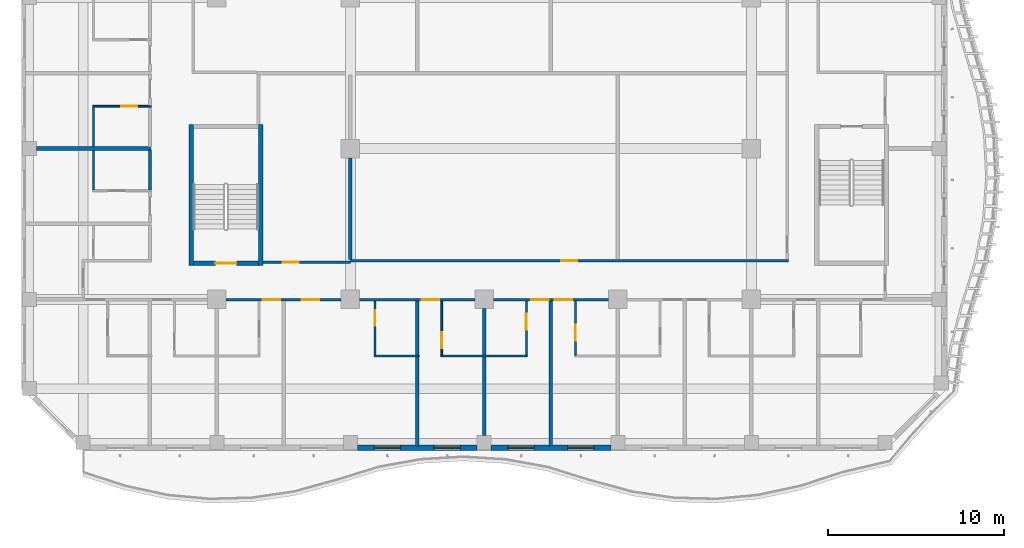
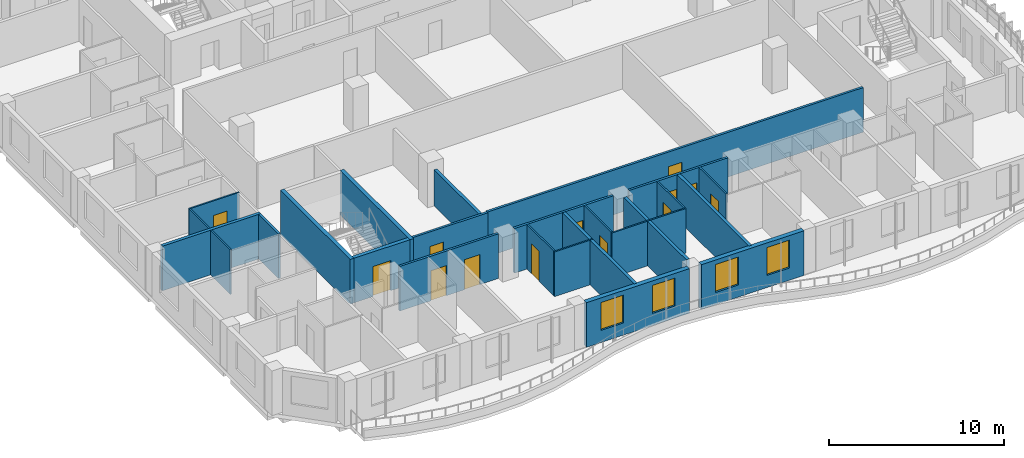
# One storey, part 3 of 22: 27 walls, 13 doors, 4 windows, 17 openings.
"""IFC4 building model written with IfcOpenShell, lengths in metres."""

import ifcopenshell
import ifcopenshell.guid

model = None  # the IFC model being written
_history = None  # IfcOwnerHistory: only IFC2X3 demands one
_inside = {}  # id of a spatial element -> (the spatial element, [elements in it])
_under = {}  # id of a project, library or spatial element -> (it, [spatial elements below it])
_declared = {}  # id of a project -> (the project, [libraries it declares])
_typed = {}  # id of a type object -> (the type object, [elements of that type])
_made_of = {}  # id of a material, layer set ... -> (it, [elements and type objects made of it])


def new_model(schema):
    """Start an empty IFC model of exactly this schema.

    Asked for "IFC4X3", IfcOpenShell would pick the latest addendum, in which some entities
    have other attributes; the version numbers below select the first issue.
    IFC2X3 requires an IfcOwnerHistory on every rooted entity: one is made here for all.
    """
    global model, _history
    if schema == "IFC4X3":
        model = ifcopenshell.file(schema_version=(4, 3, 0, 0))
    else:
        model = ifcopenshell.file(schema=schema)
    _inside.clear()
    _under.clear()
    _declared.clear()
    _typed.clear()
    _made_of.clear()
    _history = None
    if model.schema == "IFC2X3":
        org = make("IfcOrganization", Name="unknown")
        user = make(
            "IfcPersonAndOrganization",
            ThePerson=make("IfcPerson", FamilyName="unknown"),
            TheOrganization=org,
        )
        app = make(
            "IfcApplication",
            ApplicationDeveloper=org,
            Version="unknown",
            ApplicationFullName="unknown",
            ApplicationIdentifier="unknown",
        )
        _history = make(
            "IfcOwnerHistory",
            OwningUser=user,
            OwningApplication=app,
            ChangeAction="ADDED",
            CreationDate=0,
        )
    return model


def make(cls, **values):
    """One entity of the class cls with the attributes given. An attribute that is None is left unset."""
    return model.create_entity(
        cls, **{name: value for name, value in values.items() if value is not None}
    )


def rooted(cls, **values):
    """An entity with a GlobalId (a new one), such as an element, a storey or a relation."""
    return make(cls, GlobalId=ifcopenshell.guid.new(), OwnerHistory=_history, **values)


def si_unit(unit_type, name, prefix=None):
    """IfcSIUnit, for example si_unit("LENGTHUNIT", "METRE", prefix="MILLI")."""
    return make("IfcSIUnit", UnitType=unit_type, Prefix=prefix, Name=name)


def assignment(units):
    """IfcUnitAssignment: the units of a project."""
    return None if units is None else make("IfcUnitAssignment", Units=units)


def point(xyz):
    """IfcCartesianPoint."""
    return None if xyz is None else make("IfcCartesianPoint", Coordinates=xyz)


def direction(xyz):
    """IfcDirection."""
    return None if xyz is None else make("IfcDirection", DirectionRatios=xyz)


def frame(location, z_axis=None, x_axis=None):
    """IfcAxis2Placement3D, a coordinate frame: its origin and axes. An axis left out is left unset."""
    return make(
        "IfcAxis2Placement3D",
        Location=point(location),
        Axis=direction(z_axis),
        RefDirection=direction(x_axis),
    )


def frame_2d(location, x_axis=None):
    """IfcAxis2Placement2D, a coordinate frame in the plane: its origin and x axis."""
    return make(
        "IfcAxis2Placement2D", Location=point(location), RefDirection=direction(x_axis)
    )


def origin():
    """The frame at (0, 0, 0) with its axes left unset."""
    return frame((0.0, 0.0, 0.0))


def place(relative_to, where):
    """IfcLocalPlacement: puts the frame where relative to a parent placement (None: the world)."""
    return make(
        "IfcLocalPlacement", PlacementRelTo=relative_to, RelativePlacement=where
    )


def context(
    kind, dimensions, precision=None, world=None, true_north=None, identifier=None
):
    """IfcGeometricRepresentationContext, for example the 3D "Model" context."""
    return make(
        "IfcGeometricRepresentationContext",
        ContextIdentifier=identifier,
        ContextType=kind,
        CoordinateSpaceDimension=dimensions,
        Precision=precision,
        WorldCoordinateSystem=world,
        TrueNorth=true_north,
    )


def subcontext(parent, identifier, kind, view, scale=None):
    """IfcGeometricRepresentationSubContext, for example "Body" below "Model"."""
    return make(
        "IfcGeometricRepresentationSubContext",
        ContextIdentifier=identifier,
        ContextType=kind,
        ParentContext=parent,
        TargetScale=scale,
        TargetView=view,
    )


def project(units=None, contexts=None):
    """IfcProject with its units and contexts."""
    return rooted(
        "IfcProject",
        Name="project",
        RepresentationContexts=contexts,
        UnitsInContext=assignment(units),
    )


def spatial(cls, under=None, at=None, **own):
    """A site, building, storey or space (cls), placed at a placement, below another one or the project."""
    s = rooted(cls, ObjectPlacement=at, **own)
    if under is not None:
        _under.setdefault(under.id(), (under, []))[1].append(s)
    return s


def profile(cls, at=None, kind="AREA", **sizes):
    """A parametric profile (cls). Its sizes go by their IFC names, for example OverallWidth=200.0."""
    return make(cls, ProfileType=kind, Position=at, **sizes)


def rectangle(**sizes):
    """IfcRectangleProfileDef."""
    return profile("IfcRectangleProfileDef", **sizes)


def extrude(swept, where, along, depth):
    """IfcExtrudedAreaSolid: the profile swept, set in the frame where, extruded along a direction by depth."""
    return make(
        "IfcExtrudedAreaSolid",
        SweptArea=swept,
        Position=where,
        ExtrudedDirection=direction(along),
        Depth=depth,
    )


def shape(context_of_items, identifier, shape_type, items):
    """IfcShapeRepresentation: the items that make up one representation, for example the "Body"."""
    return make(
        "IfcShapeRepresentation",
        ContextOfItems=context_of_items,
        RepresentationIdentifier=identifier,
        RepresentationType=shape_type,
        Items=items,
    )


def source(mapping_origin, context_of_items, identifier, shape_type, items):
    """IfcRepresentationMap: a shape defined once, which mapped items show again and again."""
    return make(
        "IfcRepresentationMap",
        MappingOrigin=mapping_origin,
        MappedRepresentation=shape(context_of_items, identifier, shape_type, items),
    )


def transform(
    local_origin,
    x_axis=None,
    y_axis=None,
    z_axis=None,
    scale=None,
    scale2=None,
    scale3=None,
    uniform=True,
):
    """IfcCartesianTransformationOperator3D, or its non-uniform kind. x_axis, y_axis, z_axis: its Axis1, 2, 3."""
    if uniform:
        return make(
            "IfcCartesianTransformationOperator3D",
            Axis1=direction(x_axis),
            Axis2=direction(y_axis),
            LocalOrigin=point(local_origin),
            Scale=scale,
            Axis3=direction(z_axis),
        )
    return make(
        "IfcCartesianTransformationOperator3DnonUniform",
        Axis1=direction(x_axis),
        Axis2=direction(y_axis),
        LocalOrigin=point(local_origin),
        Scale=scale,
        Axis3=direction(z_axis),
        Scale2=scale2,
        Scale3=scale3,
    )


def mapped(mapping_source, mapping_target):
    """IfcMappedItem: shows the shape of a source again, moved by a transform."""
    return make(
        "IfcMappedItem", MappingSource=mapping_source, MappingTarget=mapping_target
    )


def material(Name=None, Category=None):
    """IfcMaterial."""
    return make("IfcMaterial", Name=Name, Category=Category)


def layer(
    of_material, thickness, ventilated=None, Name=None, Category=None, Priority=None
):
    """IfcMaterialLayer: one layer of a wall or slab, of a material (None: an air gap)."""
    return make(
        "IfcMaterialLayer",
        Material=of_material,
        LayerThickness=thickness,
        IsVentilated=ventilated,
        Name=Name,
        Category=Category,
        Priority=Priority,
    )


def layer_set(layers, Name=None):
    """IfcMaterialLayerSet."""
    return make("IfcMaterialLayerSet", MaterialLayers=layers, LayerSetName=Name)


def made_of(thing, what):
    """Note that an element or type object is made of a material, layer set ...; save() writes the relation."""
    if what is not None:
        _made_of.setdefault(what.id(), (what, []))[1].append(thing)
    return thing


def type_object(cls, material=None, **own):
    """A type object (cls), such as IfcWallType, which elements share."""
    return made_of(rooted(cls, **own), material)


def element(
    cls,
    number,
    at=None,
    inside=None,
    cuts=None,
    type_object=None,
    material=None,
    context=None,
    identifier="Body",
    shape_type=None,
    held_by="IfcProductDefinitionShape",
    body=None,
    shapes=None,
    **own,
):
    """One element of the class cls, such as IfcWall. Its Tag is "e" and its number.

    at: its placement. inside: the storey or other place that contains it. cuts: it is an
    opening in that element (IfcRelVoidsElement). A single representation is given by context,
    identifier, shape_type and body (its items); several are given by shapes. held_by: the class
    of the entity that holds the representations. save() writes the other relations.
    """
    e = rooted(cls, Tag="e%d" % number, ObjectPlacement=at, **own)
    if body is not None:
        shapes = [shape(context, identifier, shape_type, body)]
    if shapes is not None:
        e.Representation = make(held_by, Representations=shapes)
    if inside is not None:
        _inside.setdefault(inside.id(), (inside, []))[1].append(e)
    if cuts is not None:
        rooted(
            "IfcRelVoidsElement", RelatingBuildingElement=cuts, RelatedOpeningElement=e
        )
    if type_object is not None:
        _typed.setdefault(type_object.id(), (type_object, []))[1].append(e)
    return made_of(e, material)


def fill(opening, filler):
    """IfcRelFillsElement: the door or window that sits in an opening."""
    return rooted(
        "IfcRelFillsElement",
        RelatingOpeningElement=opening,
        RelatedBuildingElement=filler,
    )


def aggregate(whole, parts):
    """IfcRelAggregates: a whole, such as a stair, and the parts it consists of."""
    return rooted("IfcRelAggregates", RelatingObject=whole, RelatedObjects=parts)


def save(model, path):
    """Write the relations noted so far, then the file.

    IfcRelAggregates (storeys below a building ...), IfcRelContainedInSpatialStructure (elements
    in a storey), IfcRelDefinesByType, IfcRelAssociatesMaterial and IfcRelDeclares: one each for
    every whole, place, type object, material and project.
    """
    for whole, parts in _under.values():
        aggregate(whole, parts)
    for where, things in _inside.values():
        rooted(
            "IfcRelContainedInSpatialStructure",
            RelatedElements=things,
            RelatingStructure=where,
        )
    for kind, things in _typed.values():
        rooted("IfcRelDefinesByType", RelatedObjects=things, RelatingType=kind)
    for what, things in _made_of.values():
        rooted("IfcRelAssociatesMaterial", RelatedObjects=things, RelatingMaterial=what)
    for by, libraries in _declared.values():
        rooted("IfcRelDeclares", RelatingContext=by, RelatedDefinitions=libraries)
    model.write(path)


model = new_model("IFC4")

# Units and contexts
model_context = context("Model", 3, precision=1e-05, world=origin(), true_north=direction((0.0, 1.0)))
body_context = subcontext(model_context, "Body", "Model", "MODEL_VIEW")
ifc_project = project(units=[si_unit("LENGTHUNIT", "METRE"), si_unit("AREAUNIT", "SQUARE_METRE"), si_unit("VOLUMEUNIT", "CUBIC_METRE"), si_unit("PLANEANGLEUNIT", "RADIAN"), si_unit("MASSUNIT", "GRAM", prefix="KILO")], contexts=[model_context])

# Site, building, storey
site_placement = place(None, origin())
site = spatial("IfcSite", under=ifc_project, at=site_placement, CompositionType="ELEMENT")
building_placement = place(site_placement, origin())
building = spatial("IfcBuilding", under=site, at=building_placement, Name="Kilnfold Tower and Market Hall", CompositionType="ELEMENT")
storey_placement = place(building_placement, frame((0.0, 0.0, 188.89990234375)))
storey = spatial("IfcBuildingStorey", under=building, at=storey_placement, Name="L45", CompositionType="ELEMENT", Elevation=188.89990234375)

# Wall, openings, doors
ifc_material_1 = material(Name="Gypsum board on steel studs", Category="steel")
ifc_layer_1 = layer(ifc_material_1, 0.14990234375)
ifc_layer_set_1 = layer_set([ifc_layer_1], Name="Gypsum board on steel studs")
wall_type_1 = type_object("IfcWallType", Name="WALL CORRIDOR 150", PredefinedType="PARTITIONING", material=ifc_layer_set_1)
wall_1_placement = place(storey_placement, frame((-15.64208984375, -17.699951171875, 0.0), z_axis=(0.0, 0.0, 1.0), x_axis=(1.0, 0.0, 0.0)))
wall_1 = element("IfcWall", 1, at=wall_1_placement, inside=storey, type_object=wall_type_1, Name="Partition LY28.2", PredefinedType="PARTITIONING", context=body_context, shape_type="SweptSolid", body=[
    extrude(rectangle(XDim=6.5341796875, YDim=0.14990234375, at=frame_2d((3.26708984375, 0.0))), origin(), (0.0, 0.0, 1.0), 3.1201171875),
])
opening_1_placement = place(wall_1_placement, frame((2.076904296875, 0.0, 0.0)))
opening_1 = element("IfcOpeningElement", 2, at=opening_1_placement, cuts=wall_1, Name="Opening D1", PredefinedType="OPENING", context=body_context, shape_type="SweptSolid", body=[
    extrude(rectangle(XDim=1.0, YDim=2.10009765625, at=frame_2d((0.5, 1.050048828125))), frame((0.0, 0.0849609375, 0.0), z_axis=(0.0, -1.0, 0.0), x_axis=(1.0, 0.0, 0.0)), (0.0, 0.0, 1.0), 0.169921875),
])
opening_2_placement = place(wall_1_placement, frame((4.291015625, 0.0, 0.0)))
opening_2 = element("IfcOpeningElement", 3, at=opening_2_placement, cuts=wall_1, Name="Opening D1", PredefinedType="OPENING", context=body_context, shape_type="SweptSolid", body=[
    extrude(rectangle(XDim=1.0, YDim=2.10009765625, at=frame_2d((0.5, 1.050048828125))), frame((0.0, 0.0849609375, 0.0), z_axis=(0.0, -1.0, 0.0), x_axis=(1.0, 0.0, 0.0)), (0.0, 0.0, 1.0), 0.169921875),
])
ifc_material_2 = material(Name="Timber veneer door leaf in steel frame", Category="steel")
door_type_1 = type_object("IfcDoorType", Name="DOOR ENTRY 1000 X2100", OperationType="NOTDEFINED", PredefinedType="DOOR", material=ifc_material_2)
door_1_placement = place(opening_1_placement, origin())
door_1 = element("IfcDoor", 4, at=door_1_placement, inside=storey, type_object=door_type_1, Name="Door D1", OperationType="SINGLE_SWING_RIGHT", OverallHeight=2.10009765625, OverallWidth=1.0, PredefinedType="DOOR", context=body_context, shape_type="SweptSolid", body=[
    extrude(rectangle(XDim=1.0, YDim=2.10009765625, at=frame_2d((0.5, 1.050048828125))), frame((0.0, 0.02490234375, 0.0), z_axis=(0.0, -1.0, 0.0), x_axis=(1.0, 0.0, 0.0)), (0.0, 0.0, 1.0), 0.050048828125),
])
fill(opening_1, door_1)
door_2_placement = place(opening_2_placement, origin())
door_2 = element("IfcDoor", 5, at=door_2_placement, inside=storey, type_object=door_type_1, Name="Door D1", OperationType="SINGLE_SWING_LEFT", OverallHeight=2.10009765625, OverallWidth=1.0, PredefinedType="DOOR", context=body_context, shape_type="SweptSolid", body=[
    extrude(rectangle(XDim=1.0, YDim=2.10009765625, at=frame_2d((0.5, 1.050048828125))), frame((0.0, 0.02490234375, 0.0), z_axis=(0.0, -1.0, 0.0), x_axis=(1.0, 0.0, 0.0)), (0.0, 0.0, 1.0), 0.050048828125),
])
fill(opening_2, door_2)

# Wall, opening, door
wall_2_placement = place(storey_placement, frame((-8.05810546875, -17.699951171875, 0.0), z_axis=(0.0, 0.0, 1.0), x_axis=(1.0, 0.0, 0.0)))
wall_2 = element("IfcWall", 6, at=wall_2_placement, inside=storey, type_object=wall_type_1, Name="Partition LY28.3", PredefinedType="PARTITIONING", context=body_context, shape_type="SweptSolid", body=[
    extrude(rectangle(XDim=6.533203125, YDim=0.14990234375, at=frame_2d((3.2666015625, 0.0))), origin(), (0.0, 0.0, 1.0), 3.1201171875),
])
opening_3_placement = place(wall_2_placement, frame((3.51806640625, 0.0, 0.0)))
opening_3 = element("IfcOpeningElement", 7, at=opening_3_placement, cuts=wall_2, Name="Opening D1", PredefinedType="OPENING", context=body_context, shape_type="SweptSolid", body=[
    extrude(rectangle(XDim=1.0, YDim=2.10009765625, at=frame_2d((0.5, 1.050048828125))), frame((0.0, 0.0849609375, 0.0), z_axis=(0.0, -1.0, 0.0), x_axis=(1.0, 0.0, 0.0)), (0.0, 0.0, 1.0), 0.169921875),
])
door_3_placement = place(opening_3_placement, origin())
door_3 = element("IfcDoor", 8, at=door_3_placement, inside=storey, type_object=door_type_1, Name="Door D1", OperationType="SINGLE_SWING_RIGHT", OverallHeight=2.10009765625, OverallWidth=1.0, PredefinedType="DOOR", context=body_context, shape_type="SweptSolid", body=[
    extrude(rectangle(XDim=1.0, YDim=2.10009765625, at=frame_2d((0.5, 1.050048828125))), frame((0.0, 0.02490234375, 0.0), z_axis=(0.0, -1.0, 0.0), x_axis=(1.0, 0.0, 0.0)), (0.0, 0.0, 1.0), 0.050048828125),
])
fill(opening_3, door_3)

# Wall, openings, doors
wall_3_placement = place(storey_placement, frame((-0.47509765625, -17.699951171875, 0.0), z_axis=(0.0, 0.0, 1.0), x_axis=(1.0, 0.0, 0.0)))
wall_3 = element("IfcWall", 9, at=wall_3_placement, inside=storey, type_object=wall_type_1, Name="Partition LY28.4", PredefinedType="PARTITIONING", context=body_context, shape_type="SweptSolid", body=[
    extrude(rectangle(XDim=6.533203125, YDim=0.14990234375, at=frame_2d((3.2666015625, 0.0))), origin(), (0.0, 0.0, 1.0), 3.1201171875),
])
opening_4_placement = place(wall_3_placement, frame((2.14697265625, 0.0, 0.0)))
opening_4 = element("IfcOpeningElement", 10, at=opening_4_placement, cuts=wall_3, Name="Opening D1", PredefinedType="OPENING", context=body_context, shape_type="SweptSolid", body=[
    extrude(rectangle(XDim=1.0, YDim=2.10009765625, at=frame_2d((0.5, 1.050048828125))), frame((0.0, 0.0849609375, 0.0), z_axis=(0.0, -1.0, 0.0), x_axis=(1.0, 0.0, 0.0)), (0.0, 0.0, 1.0), 0.169921875),
])
opening_5_placement = place(wall_3_placement, frame((3.468017578125, 0.0, 0.0)))
opening_5 = element("IfcOpeningElement", 11, at=opening_5_placement, cuts=wall_3, Name="Opening D1", PredefinedType="OPENING", context=body_context, shape_type="SweptSolid", body=[
    extrude(rectangle(XDim=1.0, YDim=2.10009765625, at=frame_2d((0.5, 1.050048828125))), frame((0.0, 0.0849609375, 0.0), z_axis=(0.0, -1.0, 0.0), x_axis=(1.0, 0.0, 0.0)), (0.0, 0.0, 1.0), 0.169921875),
])
door_4_placement = place(opening_4_placement, origin())
door_4 = element("IfcDoor", 12, at=door_4_placement, inside=storey, type_object=door_type_1, Name="Door D1", OperationType="SINGLE_SWING_RIGHT", OverallHeight=2.10009765625, OverallWidth=1.0, PredefinedType="DOOR", context=body_context, shape_type="SweptSolid", body=[
    extrude(rectangle(XDim=1.0, YDim=2.10009765625, at=frame_2d((0.5, 1.050048828125))), frame((0.0, 0.02490234375, 0.0), z_axis=(0.0, -1.0, 0.0), x_axis=(1.0, 0.0, 0.0)), (0.0, 0.0, 1.0), 0.050048828125),
])
fill(opening_4, door_4)
door_5_placement = place(opening_5_placement, origin())
door_5 = element("IfcDoor", 13, at=door_5_placement, inside=storey, type_object=door_type_1, Name="Door D1", OperationType="SINGLE_SWING_RIGHT", OverallHeight=2.10009765625, OverallWidth=1.0, PredefinedType="DOOR", context=body_context, shape_type="SweptSolid", body=[
    extrude(rectangle(XDim=1.0, YDim=2.10009765625, at=frame_2d((0.5, 1.050048828125))), frame((0.0, 0.02490234375, 0.0), z_axis=(0.0, -1.0, 0.0), x_axis=(1.0, 0.0, 0.0)), (0.0, 0.0, 1.0), 0.050048828125),
])
fill(opening_5, door_5)

# Wall
wall_4_placement = place(storey_placement, frame((-19.958984375, -11.485107421875, 0.0), z_axis=(0.0, 0.0, 1.0), x_axis=(0.0, 1.0, 0.0)))
element("IfcWall", 14, at=wall_4_placement, inside=storey, type_object=wall_type_1, Name="Partition LY28.11", PredefinedType="PARTITIONING", context=body_context, shape_type="SweptSolid", body=[
    extrude(rectangle(XDim=2.27001953125, YDim=0.14990234375, at=frame_2d((1.135009765625, 0.0))), origin(), (0.0, 0.0, 1.0), 3.1201171875),
])

# Wall, opening, door
wall_5_placement = place(storey_placement, frame((-8.572998046875, -15.574951171875, 0.0), z_axis=(0.0, 0.0, 1.0), x_axis=(-1.0, 0.0, 0.0)))
wall_5 = element("IfcWall", 15, at=wall_5_placement, inside=storey, type_object=wall_type_1, Name="Partition LY28.47", PredefinedType="PARTITIONING", context=body_context, shape_type="SweptSolid", body=[
    extrude(rectangle(XDim=4.97705078125, YDim=0.14990234375, at=frame_2d((2.488525390625, 0.0))), origin(), (0.0, 0.0, 1.0), 3.1201171875),
])
opening_6_placement = place(wall_5_placement, frame((2.9580078125, 0.0, 0.0)))
opening_6 = element("IfcOpeningElement", 16, at=opening_6_placement, cuts=wall_5, Name="Opening D2", PredefinedType="OPENING", context=body_context, shape_type="SweptSolid", body=[
    extrude(rectangle(XDim=0.89990234375, YDim=2.10009765625, at=frame_2d((0.449951171875, 1.050048828125))), frame((0.0, 0.0849609375, 0.0), z_axis=(0.0, -1.0, 0.0), x_axis=(1.0, 0.0, 0.0)), (0.0, 0.0, 1.0), 0.169921875),
])
ifc_material_3 = material(Name="Timber veneer door leaf in steel frame", Category="steel")
door_type_2 = type_object("IfcDoorType", Name="DOOR ROOM 900 X2100", OperationType="NOTDEFINED", PredefinedType="DOOR", material=ifc_material_3)
door_6_placement = place(opening_6_placement, origin())
door_6 = element("IfcDoor", 17, at=door_6_placement, inside=storey, type_object=door_type_2, Name="Door D2", OperationType="SINGLE_SWING_RIGHT", OverallHeight=2.10009765625, OverallWidth=0.89990234375, PredefinedType="DOOR", context=body_context, shape_type="SweptSolid", body=[
    extrude(rectangle(XDim=0.89990234375, YDim=2.10009765625, at=frame_2d((0.449951171875, 1.050048828125))), frame((0.0, 0.02490234375, 0.0), z_axis=(0.0, -1.0, 0.0), x_axis=(1.0, 0.0, 0.0)), (0.0, 0.0, 1.0), 0.050048828125),
])
fill(opening_6, door_6)

wall_6_placement = place(storey_placement, frame((-8.593017578125, -15.5, 0.0), z_axis=(0.0, 0.0, 1.0), x_axis=(1.0, 0.0, 0.0)))
wall_6 = element("IfcWall", 18, at=wall_6_placement, inside=storey, type_object=wall_type_1, Name="Partition LY28.48", PredefinedType="PARTITIONING", context=body_context, shape_type="SweptSolid", body=[
    extrude(rectangle(XDim=24.867919921875, YDim=0.14990234375, at=frame_2d((12.43408203125, 0.0))), origin(), (0.0, 0.0, 1.0), 3.1201171875),
])
opening_7_placement = place(wall_6_placement, frame((11.972900390625, 0.0, 0.0)))
opening_7 = element("IfcOpeningElement", 19, at=opening_7_placement, cuts=wall_6, Name="Opening D2", PredefinedType="OPENING", context=body_context, shape_type="SweptSolid", body=[
    extrude(rectangle(XDim=0.89990234375, YDim=2.10009765625, at=frame_2d((0.449951171875, 1.050048828125))), frame((0.0, 0.0849609375, 0.0), z_axis=(0.0, -1.0, 0.0), x_axis=(1.0, 0.0, 0.0)), (0.0, 0.0, 1.0), 0.169921875),
])
door_7_placement = place(opening_7_placement, origin())
door_7 = element("IfcDoor", 20, at=door_7_placement, inside=storey, type_object=door_type_2, Name="Door D2", OperationType="SINGLE_SWING_RIGHT", OverallHeight=2.10009765625, OverallWidth=0.89990234375, PredefinedType="DOOR", context=body_context, shape_type="SweptSolid", body=[
    extrude(rectangle(XDim=0.89990234375, YDim=2.10009765625, at=frame_2d((0.449951171875, 1.050048828125))), frame((0.0, 0.02490234375, 0.0), z_axis=(0.0, -1.0, 0.0), x_axis=(1.0, 0.0, 0.0)), (0.0, 0.0, 1.0), 0.050048828125),
])
fill(opening_7, door_7)

ifc_material_4 = material(Name="Gypsum board on steel studs", Category="steel")
ifc_layer_2 = layer(ifc_material_4, 0.10009765625)
ifc_layer_set_2 = layer_set([ifc_layer_2], Name="Gypsum board on steel studs")
wall_type_2 = type_object("IfcWallType", Name="WALL PARTITION 100", PredefinedType="PARTITIONING", material=ifc_layer_set_2)
wall_7_placement = place(storey_placement, frame((-7.19189453125, -20.85205078125, 0.0), z_axis=(0.0, 0.0, 1.0), x_axis=(0.0, 1.0, 0.0)))
wall_7 = element("IfcWall", 21, at=wall_7_placement, inside=storey, type_object=wall_type_2, Name="Partition LY28.61", PredefinedType="PARTITIONING", context=body_context, shape_type="SweptSolid", body=[
    extrude(rectangle(XDim=3.074951171875, YDim=0.10009765625, at=frame_2d((1.53759765625, 0.0))), origin(), (0.0, 0.0, 1.0), 3.1201171875),
])
opening_8_placement = place(wall_7_placement, frame((1.662109375, 0.0, 0.0)))
opening_8 = element("IfcOpeningElement", 22, at=opening_8_placement, cuts=wall_7, Name="Opening D3", PredefinedType="OPENING", context=body_context, shape_type="SweptSolid", body=[
    extrude(rectangle(XDim=0.89990234375, YDim=2.10009765625, at=frame_2d((0.449951171875, 1.050048828125))), frame((0.0, 0.06005859375, 0.0), z_axis=(0.0, -1.0, 0.0), x_axis=(1.0, 0.0, 0.0)), (0.0, 0.0, 1.0), 0.1201171875),
])
ifc_material_5 = material(Name="Timber veneer door leaf in steel frame", Category="steel")
door_type_3 = type_object("IfcDoorType", Name="DOOR WC 900 X2100", OperationType="NOTDEFINED", PredefinedType="DOOR", material=ifc_material_5)
door_8_placement = place(opening_8_placement, origin())
door_8 = element("IfcDoor", 23, at=door_8_placement, inside=storey, type_object=door_type_3, Name="Door D3", OperationType="SINGLE_SWING_LEFT", OverallHeight=2.10009765625, OverallWidth=0.89990234375, PredefinedType="DOOR", context=body_context, shape_type="SweptSolid", body=[
    extrude(rectangle(XDim=0.89990234375, YDim=2.10009765625, at=frame_2d((0.449951171875, 1.050048828125))), frame((0.0, 0.02490234375, 0.0), z_axis=(0.0, -1.0, 0.0), x_axis=(1.0, 0.0, 0.0)), (0.0, 0.0, 1.0), 0.050048828125),
])
fill(opening_8, door_8)

# Wall
wall_8_placement = place(storey_placement, frame((-7.241943359375, -20.902099609375, 0.0), z_axis=(0.0, 0.0, 1.0), x_axis=(1.0, 0.0, 0.0)))
element("IfcWall", 24, at=wall_8_placement, inside=storey, type_object=wall_type_2, Name="Partition LY28.62", PredefinedType="PARTITIONING", context=body_context, shape_type="SweptSolid", body=[
    extrude(rectangle(XDim=2.550048828125, YDim=0.10009765625, at=frame_2d((1.27490234375, 0.0))), origin(), (0.0, 0.0, 1.0), 3.1201171875),
])

# Wall, opening, door
wall_9_placement = place(storey_placement, frame((-3.39990234375, -20.85205078125, 0.0), z_axis=(0.0, 0.0, 1.0), x_axis=(0.0, 1.0, 0.0)))
wall_9 = element("IfcWall", 25, at=wall_9_placement, inside=storey, type_object=wall_type_2, Name="Partition LY28.65", PredefinedType="PARTITIONING", context=body_context, shape_type="SweptSolid", body=[
    extrude(rectangle(XDim=3.074951171875, YDim=0.10009765625, at=frame_2d((1.53759765625, 0.0))), origin(), (0.0, 0.0, 1.0), 3.1201171875),
])
opening_9_placement = place(wall_9_placement, frame((0.408935546875, 0.0, 0.0)))
opening_9 = element("IfcOpeningElement", 26, at=opening_9_placement, cuts=wall_9, Name="Opening D3", PredefinedType="OPENING", context=body_context, shape_type="SweptSolid", body=[
    extrude(rectangle(XDim=0.89990234375, YDim=2.10009765625, at=frame_2d((0.449951171875, 1.050048828125))), frame((0.0, 0.06005859375, 0.0), z_axis=(0.0, -1.0, 0.0), x_axis=(1.0, 0.0, 0.0)), (0.0, 0.0, 1.0), 0.1201171875),
])
door_9_placement = place(opening_9_placement, origin())
door_9 = element("IfcDoor", 27, at=door_9_placement, inside=storey, type_object=door_type_3, Name="Door D3", OperationType="SINGLE_SWING_LEFT", OverallHeight=2.10009765625, OverallWidth=0.89990234375, PredefinedType="DOOR", context=body_context, shape_type="SweptSolid", body=[
    extrude(rectangle(XDim=0.89990234375, YDim=2.10009765625, at=frame_2d((0.449951171875, 1.050048828125))), frame((0.0, 0.02490234375, 0.0), z_axis=(0.0, -1.0, 0.0), x_axis=(1.0, 0.0, 0.0)), (0.0, 0.0, 1.0), 0.050048828125),
])
fill(opening_9, door_9)

# Wall
wall_10_placement = place(storey_placement, frame((-3.449951171875, -20.902099609375, 0.0), z_axis=(0.0, 0.0, 1.0), x_axis=(1.0, 0.0, 0.0)))
element("IfcWall", 28, at=wall_10_placement, inside=storey, type_object=wall_type_2, Name="Partition LY28.66", PredefinedType="PARTITIONING", context=body_context, shape_type="SweptSolid", body=[
    extrude(rectangle(XDim=4.89990234375, YDim=0.10009765625, at=frame_2d((2.449951171875, 0.0))), origin(), (0.0, 0.0, 1.0), 3.1201171875),
])

# Wall, opening, door
wall_11_placement = place(storey_placement, frame((1.39990234375, -17.777099609375, 0.0), z_axis=(0.0, 0.0, 1.0), x_axis=(0.0, -1.0, 0.0)))
wall_11 = element("IfcWall", 29, at=wall_11_placement, inside=storey, type_object=wall_type_2, Name="Partition LY28.69", PredefinedType="PARTITIONING", context=body_context, shape_type="SweptSolid", body=[
    extrude(rectangle(XDim=3.074951171875, YDim=0.10009765625, at=frame_2d((1.53759765625, 0.0))), origin(), (0.0, 0.0, 1.0), 3.1201171875),
])
opening_10_placement = place(wall_11_placement, frame((0.721923828125, 0.0, 0.0)))
opening_10 = element("IfcOpeningElement", 30, at=opening_10_placement, cuts=wall_11, Name="Opening D3", PredefinedType="OPENING", context=body_context, shape_type="SweptSolid", body=[
    extrude(rectangle(XDim=0.89990234375, YDim=2.10009765625, at=frame_2d((0.449951171875, 1.050048828125))), frame((0.0, 0.06005859375, 0.0), z_axis=(0.0, -1.0, 0.0), x_axis=(1.0, 0.0, 0.0)), (0.0, 0.0, 1.0), 0.1201171875),
])
door_10_placement = place(opening_10_placement, origin())
door_10 = element("IfcDoor", 31, at=door_10_placement, inside=storey, type_object=door_type_3, Name="Door D3", OperationType="SINGLE_SWING_RIGHT", OverallHeight=2.10009765625, OverallWidth=0.89990234375, PredefinedType="DOOR", context=body_context, shape_type="SweptSolid", body=[
    extrude(rectangle(XDim=0.89990234375, YDim=2.10009765625, at=frame_2d((0.449951171875, 1.050048828125))), frame((0.0, 0.02490234375, 0.0), z_axis=(0.0, -1.0, 0.0), x_axis=(1.0, 0.0, 0.0)), (0.0, 0.0, 1.0), 0.050048828125),
])
fill(opening_10, door_10)

wall_12_placement = place(storey_placement, frame((4.18310546875, -20.85205078125, 0.0), z_axis=(0.0, 0.0, 1.0), x_axis=(0.0, 1.0, 0.0)))
wall_12 = element("IfcWall", 32, at=wall_12_placement, inside=storey, type_object=wall_type_2, Name="Partition LY28.71", PredefinedType="PARTITIONING", context=body_context, shape_type="SweptSolid", body=[
    extrude(rectangle(XDim=3.074951171875, YDim=0.10009765625, at=frame_2d((1.53759765625, 0.0))), origin(), (0.0, 0.0, 1.0), 3.1201171875),
])
opening_11_placement = place(wall_12_placement, frame((0.825927734375, 0.0, 0.0)))
opening_11 = element("IfcOpeningElement", 33, at=opening_11_placement, cuts=wall_12, Name="Opening D3", PredefinedType="OPENING", context=body_context, shape_type="SweptSolid", body=[
    extrude(rectangle(XDim=0.89990234375, YDim=2.10009765625, at=frame_2d((0.449951171875, 1.050048828125))), frame((0.0, 0.06005859375, 0.0), z_axis=(0.0, -1.0, 0.0), x_axis=(1.0, 0.0, 0.0)), (0.0, 0.0, 1.0), 0.1201171875),
])
door_11_placement = place(opening_11_placement, origin())
door_11 = element("IfcDoor", 34, at=door_11_placement, inside=storey, type_object=door_type_3, Name="Door D3", OperationType="SINGLE_SWING_LEFT", OverallHeight=2.10009765625, OverallWidth=0.89990234375, PredefinedType="DOOR", context=body_context, shape_type="SweptSolid", body=[
    extrude(rectangle(XDim=0.89990234375, YDim=2.10009765625, at=frame_2d((0.449951171875, 1.050048828125))), frame((0.0, 0.02490234375, 0.0), z_axis=(0.0, -1.0, 0.0), x_axis=(1.0, 0.0, 0.0)), (0.0, 0.0, 1.0), 0.050048828125),
])
fill(opening_11, door_11)

# Wall
wall_13_placement = place(storey_placement, frame((-23.160888671875, -11.47509765625, 0.0), z_axis=(0.0, 0.0, 1.0), x_axis=(0.0, 1.0, 0.0)))
element("IfcWall", 35, at=wall_13_placement, inside=storey, type_object=wall_type_2, Name="Partition LY28.90", PredefinedType="PARTITIONING", context=body_context, shape_type="SweptSolid", body=[
    extrude(rectangle(XDim=2.25, YDim=0.10009765625, at=frame_2d((1.125, 0.0))), origin(), (0.0, 0.0, 1.0), 3.1201171875),
])

# Wall, opening, door
wall_14_placement = place(storey_placement, frame((-23.2109375, -6.72509765625, 0.0), z_axis=(0.0, 0.0, 1.0), x_axis=(1.0, 0.0, 0.0)))
wall_14 = element("IfcWall", 36, at=wall_14_placement, inside=storey, type_object=wall_type_2, Name="Partition LY28.92", PredefinedType="PARTITIONING", context=body_context, shape_type="SweptSolid", body=[
    extrude(rectangle(XDim=3.324951171875, YDim=0.10009765625, at=frame_2d((1.66259765625, 0.0))), origin(), (0.0, 0.0, 1.0), 3.1201171875),
])
opening_12_placement = place(wall_14_placement, frame((1.616943359375, 0.0, 0.0)))
opening_12 = element("IfcOpeningElement", 37, at=opening_12_placement, cuts=wall_14, Name="Opening D3", PredefinedType="OPENING", context=body_context, shape_type="SweptSolid", body=[
    extrude(rectangle(XDim=0.89990234375, YDim=2.10009765625, at=frame_2d((0.449951171875, 1.050048828125))), frame((0.0, 0.06005859375, 0.0), z_axis=(0.0, -1.0, 0.0), x_axis=(1.0, 0.0, 0.0)), (0.0, 0.0, 1.0), 0.1201171875),
])
door_12_placement = place(opening_12_placement, origin())
door_12 = element("IfcDoor", 38, at=door_12_placement, inside=storey, type_object=door_type_3, Name="Door D3", OperationType="SINGLE_SWING_LEFT", OverallHeight=2.10009765625, OverallWidth=0.89990234375, PredefinedType="DOOR", context=body_context, shape_type="SweptSolid", body=[
    extrude(rectangle(XDim=0.89990234375, YDim=2.10009765625, at=frame_2d((0.449951171875, 1.050048828125))), frame((0.0, 0.02490234375, 0.0), z_axis=(0.0, -1.0, 0.0), x_axis=(1.0, 0.0, 0.0)), (0.0, 0.0, 1.0), 0.050048828125),
])
fill(opening_12, door_12)

# Walls
wall_15_placement = place(storey_placement, frame((-23.160888671875, -9.02490234375, 0.0), z_axis=(0.0, 0.0, 1.0), x_axis=(0.0, 1.0, 0.0)))
element("IfcWall", 39, at=wall_15_placement, inside=storey, type_object=wall_type_2, Name="Partition LY28.93", PredefinedType="PARTITIONING", context=body_context, shape_type="SweptSolid", body=[
    extrude(rectangle(XDim=2.25, YDim=0.10009765625, at=frame_2d((1.125, 0.0))), origin(), (0.0, 0.0, 1.0), 3.1201171875),
])
ifc_material_6 = material(Name="Gypsum board on steel studs", Category="steel")
ifc_layer_3 = layer(ifc_material_6, 0.199951171875)
ifc_layer_set_3 = layer_set([ifc_layer_3], Name="Gypsum board on steel studs")
wall_type_3 = type_object("IfcWallType", Name="WALL PARTY 200", PredefinedType="PARTITIONING", material=ifc_layer_set_3)
wall_16_placement = place(storey_placement, frame((-4.7919921875, -26.0, 0.0), z_axis=(0.0, 0.0, 1.0), x_axis=(0.0, 1.0, 0.0)))
element("IfcWall", 40, at=wall_16_placement, inside=storey, type_object=wall_type_3, Name="Partition LY28.63", PredefinedType="PARTITIONING", context=body_context, shape_type="SweptSolid", body=[
    extrude(rectangle(XDim=5.048095703125, YDim=0.199951171875, at=frame_2d((2.52392578125, 0.0))), origin(), (0.0, 0.0, 1.0), 3.1201171875),
])
wall_17_placement = place(storey_placement, frame((-4.7919921875, -20.85205078125, 0.0), z_axis=(0.0, 0.0, 1.0), x_axis=(0.0, 1.0, 0.0)))
element("IfcWall", 41, at=wall_17_placement, inside=storey, type_object=wall_type_3, Name="Partition LY28.64", PredefinedType="PARTITIONING", context=body_context, shape_type="SweptSolid", body=[
    extrude(rectangle(XDim=3.074951171875, YDim=0.199951171875, at=frame_2d((1.53759765625, 0.0))), origin(), (0.0, 0.0, 1.0), 3.1201171875),
])
wall_18_placement = place(storey_placement, frame((-1.0, -25.39990234375, 0.0), z_axis=(0.0, 0.0, 1.0), x_axis=(0.0, 1.0, 0.0)))
element("IfcWall", 42, at=wall_18_placement, inside=storey, type_object=wall_type_3, Name="Partition LY28.67", PredefinedType="PARTITIONING", context=body_context, shape_type="SweptSolid", body=[
    extrude(rectangle(XDim=4.447998046875, YDim=0.199951171875, at=frame_2d((2.22412109375, 0.0))), origin(), (0.0, 0.0, 1.0), 3.1201171875),
])
wall_19_placement = place(storey_placement, frame((-1.0, -20.85205078125, 0.0), z_axis=(0.0, 0.0, 1.0), x_axis=(0.0, 1.0, 0.0)))
element("IfcWall", 43, at=wall_19_placement, inside=storey, type_object=wall_type_3, Name="Partition LY28.68", PredefinedType="PARTITIONING", context=body_context, shape_type="SweptSolid", body=[
    extrude(rectangle(XDim=2.64013671875, YDim=0.199951171875, at=frame_2d((1.320068359375, 0.0))), origin(), (0.0, 0.0, 1.0), 3.1201171875),
])
wall_20_placement = place(storey_placement, frame((2.7919921875, -26.0, 0.0), z_axis=(0.0, 0.0, 1.0), x_axis=(0.0, 1.0, 0.0)))
element("IfcWall", 44, at=wall_20_placement, inside=storey, type_object=wall_type_3, Name="Partition LY28.70", PredefinedType="PARTITIONING", context=body_context, shape_type="SweptSolid", body=[
    extrude(rectangle(XDim=8.222900390625, YDim=0.199951171875, at=frame_2d((4.111328125, 0.0))), origin(), (0.0, 0.0, 1.0), 3.1201171875),
])
wall_21_placement = place(storey_placement, frame((-26.39990234375, -9.125, 0.0), z_axis=(0.0, 0.0, 1.0), x_axis=(1.0, 0.0, 0.0)))
element("IfcWall", 45, at=wall_21_placement, inside=storey, type_object=wall_type_3, Name="Partition LY28.91", PredefinedType="PARTITIONING", context=body_context, shape_type="SweptSolid", body=[
    extrude(rectangle(XDim=6.513916015625, YDim=0.199951171875, at=frame_2d((3.2568359375, 0.0))), origin(), (0.0, 0.0, 1.0), 3.1201171875),
])
wall_22_placement = place(storey_placement, frame((-8.5830078125, -15.423095703125, 0.0), z_axis=(0.0, 0.0, 1.0), x_axis=(0.0, 1.0, 0.0)))
element("IfcWall", 46, at=wall_22_placement, inside=storey, type_object=wall_type_3, Name="Partition LY28.126", PredefinedType="PARTITIONING", context=body_context, shape_type="SweptSolid", body=[
    extrude(rectangle(XDim=5.773193359375, YDim=0.199951171875, at=frame_2d((2.88671875, 0.0))), origin(), (0.0, 0.0, 1.0), 2.52001953125),
])

# Wall, opening, door
ifc_material_7 = material(Name="Concrete C60", Category="concrete")
ifc_layer_4 = layer(ifc_material_7, 0.25)
ifc_layer_set_4 = layer_set([ifc_layer_4], Name="Concrete C60")
wall_type_4 = type_object("IfcWallType", Name="CORE WALL 250 C60", PredefinedType="SHEAR", material=ifc_layer_set_4)
shared_shape_1 = source(origin(), body_context, "Body", "SweptSolid", [
    extrude(rectangle(XDim=3.699951171875, YDim=0.25, at=frame_2d((1.85009765625, 0.0))), origin(), (0.0, 0.0, 1.0), 3.1201171875),
])
wall_23_placement = place(storey_placement, frame((-17.5, -15.625, 0.0), z_axis=(0.0, 0.0, 1.0), x_axis=(1.0, 0.0, 0.0)))
wall_23 = element("IfcWall", 47, at=wall_23_placement, inside=storey, type_object=wall_type_4, Name="Stair enclosure ST3", PredefinedType="SHEAR", context=body_context, shape_type="MappedRepresentation", body=[
    mapped(shared_shape_1, transform((0.0, 0.0, 0.0))),
])
opening_13_placement = place(wall_23_placement, frame((1.25, 0.0, 0.0)))
opening_13 = element("IfcOpeningElement", 48, at=opening_13_placement, cuts=wall_23, Name="Opening SD1", PredefinedType="OPENING", context=body_context, shape_type="SweptSolid", body=[
    extrude(rectangle(XDim=1.199951171875, YDim=2.10009765625, at=frame_2d((0.60009765625, 1.050048828125))), frame((0.0, 0.135009765625, 0.0), z_axis=(0.0, -1.0, 0.0), x_axis=(1.0, 0.0, 0.0)), (0.0, 0.0, 1.0), 0.27001953125),
])
ifc_material_8 = material(Name="Steel door set with fire-resisting leaf", Category="steel")
door_type_4 = type_object("IfcDoorType", Name="STAIR FLOOR DOOR 1200X2100", OperationType="NOTDEFINED", PredefinedType="DOOR", material=ifc_material_8)
door_13_placement = place(opening_13_placement, origin())
door_13 = element("IfcDoor", 49, at=door_13_placement, inside=storey, type_object=door_type_4, Name="Exit stair ST3 door", OperationType="DOUBLE_DOOR_SINGLE_SWING", OverallHeight=2.10009765625, OverallWidth=1.199951171875, PredefinedType="DOOR", context=body_context, shape_type="SweptSolid", body=[
    extrude(rectangle(XDim=1.199951171875, YDim=2.10009765625, at=frame_2d((0.60009765625, 1.050048828125))), frame((0.0, 0.02490234375, 0.0), z_axis=(0.0, -1.0, 0.0), x_axis=(1.0, 0.0, 0.0)), (0.0, 0.0, 1.0), 0.050048828125),
])
fill(opening_13, door_13)

# Walls
shared_shape_2 = source(origin(), body_context, "Body", "SweptSolid", [
    extrude(rectangle(XDim=8.0, YDim=0.25, at=frame_2d((4.0, 0.0))), origin(), (0.0, 0.0, 1.0), 3.1201171875),
])
for number, where, z_axis, x_axis, name in (
    (50, (-17.625, -15.75, 0.0), (0.0, 0.0, 1.0), (0.0, 1.0, 0.0), "Stair enclosure ST3"),
    (51, (-13.675048828125, -15.75, 0.0), (0.0, 0.0, 1.0), (0.0, 1.0, 0.0), "Stair enclosure ST3"),
):
    element("IfcWall", number, at=place(storey_placement, frame(where, z_axis=z_axis, x_axis=x_axis)), inside=storey, type_object=wall_type_4, Name=name, PredefinedType="SHEAR", context=body_context, shape_type="MappedRepresentation", body=[
        mapped(shared_shape_2, transform((0.0, 0.0, 0.0))),
    ])

# Wall, openings, windows
ifc_material_9 = material(Name="Precast concrete C50/60", Category="concrete")
ifc_layer_5 = layer(ifc_material_9, 0.300048828125)
ifc_layer_set_5 = layer_set([ifc_layer_5], Name="Precast concrete C50/60")
wall_type_5 = type_object("IfcWallType", Name="PRECAST WALL 300", PredefinedType="SOLIDWALL", material=ifc_layer_set_5)
shared_shape_3 = source(origin(), body_context, "Body", "SweptSolid", [
    extrude(rectangle(XDim=6.783447265625, YDim=0.300048828125, at=frame_2d((3.3916015625, 0.0))), origin(), (0.0, 0.0, 1.0), 3.1201171875),
])
wall_24_placement = place(storey_placement, frame((-8.183349609375, -26.10009765625, 0.0), z_axis=(0.0, 0.0, 1.0), x_axis=(1.0, 0.0, 0.0)))
wall_24 = element("IfcWall", 52, at=wall_24_placement, inside=storey, type_object=wall_type_5, Name="External wall L45 S", PredefinedType="SOLIDWALL", context=body_context, shape_type="MappedRepresentation", body=[
    mapped(shared_shape_3, transform((0.0, 0.0, 0.0))),
])
opening_14_placement = place(wall_24_placement, frame((0.94580078125, 0.0, 0.85009765625)))
opening_14 = element("IfcOpeningElement", 53, at=opening_14_placement, cuts=wall_24, Name="Opening W4", PredefinedType="OPENING", context=body_context, shape_type="SweptSolid", body=[
    extrude(rectangle(XDim=1.5, YDim=1.949951171875, at=frame_2d((0.75, 0.97509765625))), frame((0.0, 0.16015625, 0.0), z_axis=(0.0, -1.0, 0.0), x_axis=(1.0, 0.0, 0.0)), (0.0, 0.0, 1.0), 0.320068359375),
])
opening_15_placement = place(wall_24_placement, frame((4.33740234375, 0.0, 0.85009765625)))
opening_15 = element("IfcOpeningElement", 54, at=opening_15_placement, cuts=wall_24, Name="Opening W4", PredefinedType="OPENING", context=body_context, shape_type="SweptSolid", body=[
    extrude(rectangle(XDim=1.5, YDim=1.949951171875, at=frame_2d((0.75, 0.97509765625))), frame((0.0, 0.16015625, 0.0), z_axis=(0.0, -1.0, 0.0), x_axis=(1.0, 0.0, 0.0)), (0.0, 0.0, 1.0), 0.320068359375),
])
ifc_material_10 = material(Name="Aluminium frame and double glazing", Category="aluminium")
window_type = type_object("IfcWindowType", Name="WINDOW W4 1500X1950", PartitioningType="SINGLE_PANEL", PredefinedType="WINDOW", material=ifc_material_10)
window_1_placement = place(opening_14_placement, origin())
window_1 = element("IfcWindow", 55, at=window_1_placement, inside=storey, type_object=window_type, Name="Window W4 L45 S-1", OverallHeight=1.949951171875, OverallWidth=1.5, PartitioningType="SINGLE_PANEL", PredefinedType="WINDOW", context=body_context, shape_type="SweptSolid", body=[
    extrude(rectangle(XDim=1.5, YDim=1.949951171875, at=frame_2d((0.75, 0.97509765625))), frame((0.0, 0.030029296875, 0.0), z_axis=(0.0, -1.0, 0.0), x_axis=(1.0, 0.0, 0.0)), (0.0, 0.0, 1.0), 0.06005859375),
])
fill(opening_14, window_1)
window_2_placement = place(opening_15_placement, origin())
window_2 = element("IfcWindow", 56, at=window_2_placement, inside=storey, type_object=window_type, Name="Window W4 L45 S-2", OverallHeight=1.949951171875, OverallWidth=1.5, PartitioningType="SINGLE_PANEL", PredefinedType="WINDOW", context=body_context, shape_type="SweptSolid", body=[
    extrude(rectangle(XDim=1.5, YDim=1.949951171875, at=frame_2d((0.75, 0.97509765625))), frame((0.0, 0.030029296875, 0.0), z_axis=(0.0, -1.0, 0.0), x_axis=(1.0, 0.0, 0.0)), (0.0, 0.0, 1.0), 0.06005859375),
])
fill(opening_15, window_2)

wall_25_placement = place(storey_placement, frame((-0.60009765625, -26.10009765625, 0.0), z_axis=(0.0, 0.0, 1.0), x_axis=(1.0, 0.0, 0.0)))
wall_25 = element("IfcWall", 57, at=wall_25_placement, inside=storey, type_object=wall_type_5, Name="External wall L45 S", PredefinedType="SOLIDWALL", context=body_context, shape_type="MappedRepresentation", body=[
    mapped(shared_shape_3, transform((0.0, 0.0, 0.0))),
])
opening_16_placement = place(wall_25_placement, frame((0.94580078125, 0.0, 0.85009765625)))
opening_16 = element("IfcOpeningElement", 58, at=opening_16_placement, cuts=wall_25, Name="Opening W4", PredefinedType="OPENING", context=body_context, shape_type="SweptSolid", body=[
    extrude(rectangle(XDim=1.5, YDim=1.949951171875, at=frame_2d((0.75, 0.97509765625))), frame((0.0, 0.16015625, 0.0), z_axis=(0.0, -1.0, 0.0), x_axis=(1.0, 0.0, 0.0)), (0.0, 0.0, 1.0), 0.320068359375),
])
opening_17_placement = place(wall_25_placement, frame((4.33740234375, 0.0, 0.85009765625)))
opening_17 = element("IfcOpeningElement", 59, at=opening_17_placement, cuts=wall_25, Name="Opening W4", PredefinedType="OPENING", context=body_context, shape_type="SweptSolid", body=[
    extrude(rectangle(XDim=1.5, YDim=1.949951171875, at=frame_2d((0.75, 0.97509765625))), frame((0.0, 0.16015625, 0.0), z_axis=(0.0, -1.0, 0.0), x_axis=(1.0, 0.0, 0.0)), (0.0, 0.0, 1.0), 0.320068359375),
])
window_3_placement = place(opening_16_placement, origin())
window_3 = element("IfcWindow", 60, at=window_3_placement, inside=storey, type_object=window_type, Name="Window W4 L45 S-1", OverallHeight=1.949951171875, OverallWidth=1.5, PartitioningType="SINGLE_PANEL", PredefinedType="WINDOW", context=body_context, shape_type="SweptSolid", body=[
    extrude(rectangle(XDim=1.5, YDim=1.949951171875, at=frame_2d((0.75, 0.97509765625))), frame((0.0, 0.030029296875, 0.0), z_axis=(0.0, -1.0, 0.0), x_axis=(1.0, 0.0, 0.0)), (0.0, 0.0, 1.0), 0.06005859375),
])
fill(opening_16, window_3)
window_4_placement = place(opening_17_placement, origin())
window_4 = element("IfcWindow", 61, at=window_4_placement, inside=storey, type_object=window_type, Name="Window W4 L45 S-2", OverallHeight=1.949951171875, OverallWidth=1.5, PartitioningType="SINGLE_PANEL", PredefinedType="WINDOW", context=body_context, shape_type="SweptSolid", body=[
    extrude(rectangle(XDim=1.5, YDim=1.949951171875, at=frame_2d((0.75, 0.97509765625))), frame((0.0, 0.030029296875, 0.0), z_axis=(0.0, -1.0, 0.0), x_axis=(1.0, 0.0, 0.0)), (0.0, 0.0, 1.0), 0.06005859375),
])
fill(opening_17, window_4)

save(model, "model.ifc")
